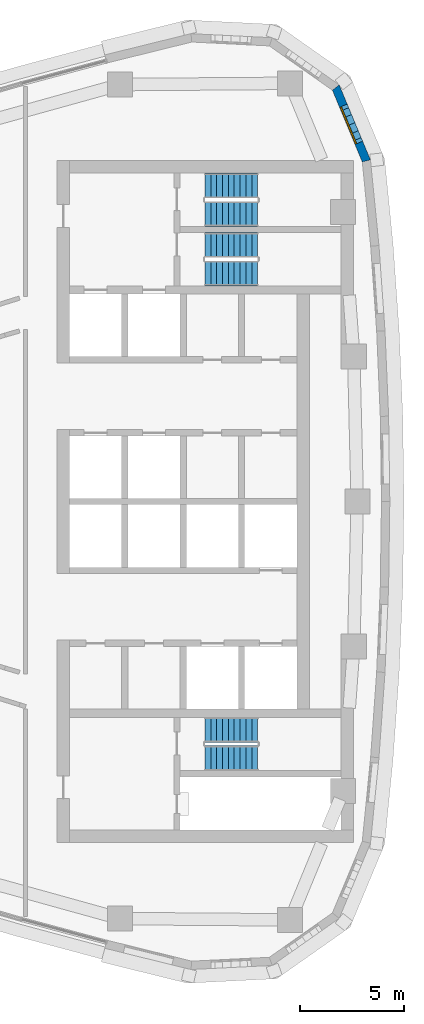
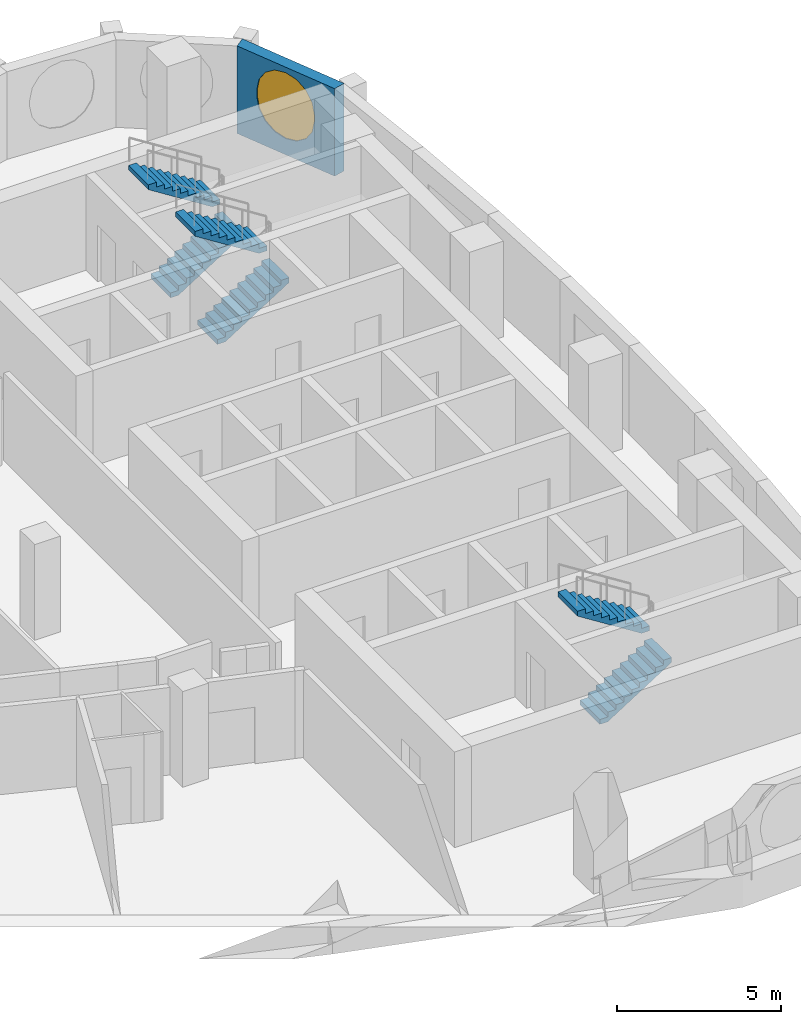
# One storey, part 12 of 16: 6 stair flights, 1 wall, 1 window, 1 opening, 3 elements without a shape of their own.
"""IFC4 building model written with IfcOpenShell, lengths in metres."""

from ifc_helpers import new_model, si_unit, direction, frame, origin, place, context, subcontext, project, spatial, polyline, outline, extrude, material, layer, layer_set, type_object, element, fill, aggregate, save


model = new_model("IFC4")

# Units and contexts
model_context = context("Model", 3, precision=1e-05, world=origin(), true_north=direction((0.0, 1.0)))
body_context = subcontext(model_context, "Body", "Model", "MODEL_VIEW")
ifc_project = project(units=[si_unit("LENGTHUNIT", "METRE"), si_unit("AREAUNIT", "SQUARE_METRE"), si_unit("VOLUMEUNIT", "CUBIC_METRE"), si_unit("PLANEANGLEUNIT", "RADIAN"), si_unit("MASSUNIT", "GRAM", prefix="KILO")], contexts=[model_context])

# Site, building, storey
site_placement = place(None, origin())
site = spatial("IfcSite", under=ifc_project, at=site_placement, CompositionType="ELEMENT")
building_placement = place(site_placement, origin())
building = spatial("IfcBuilding", under=site, at=building_placement, Name="Ostrand Prow Hotel Tower", CompositionType="ELEMENT")
storey_placement = place(building_placement, frame((0.0, 0.0, 227.89990234375)))
storey = spatial("IfcBuildingStorey", under=building, at=storey_placement, Name="L57", CompositionType="ELEMENT", Elevation=227.89990234375)

# Wall, opening, window
ifc_material_1 = material(Name="Precast concrete C40/50", Category="concrete")
ifc_layer = layer(ifc_material_1, 0.39990234375)
ifc_layer_set = layer_set([ifc_layer], Name="Precast concrete C40/50")
wall_type = type_object("IfcWallType", Name="Stone-faced precast wall 400 mm", PredefinedType="NOTDEFINED", material=ifc_layer_set)
wall_placement = place(storey_placement, frame((64.9375, 16.33740234375, 0.0), z_axis=(0.0, 0.0, 1.0), x_axis=(-0.3844335483, 0.923152667191, 0.0)))
wall = element("IfcWall", 1, at=wall_placement, inside=storey, type_object=wall_type, Name="Stone-faced wall back 13", PredefinedType="NOTDEFINED", context=body_context, shape_type="SweptSolid", body=[
    extrude(outline(polyline([(-0.02978515625, -0.199951171875), (3.871337890625, -0.199951171875), (3.755615234375, 0.199951171875), (0.02978515625, 0.199951171875), (-0.02978515625, -0.199951171875)])), origin(), (0.0, 0.0, 1.0), 3.25),
])
opening_placement = place(wall_placement, frame((0.806884765625, 0.0, 0.60009765625)))
opening = element("IfcOpeningElement", 2, at=opening_placement, cuts=wall, Name="Opening WP2", PredefinedType="OPENING", context=body_context, shape_type="SweptSolid", body=[
    extrude(outline(polyline([(0.0, 1.35009765625), (0.083740234375, 1.77099609375), (0.322265625, 2.127685546875), (0.678955078125, 2.3662109375), (1.10009765625, 2.449951171875), (1.52099609375, 2.3662109375), (1.877685546875, 2.127685546875), (2.1162109375, 1.77099609375), (2.199951171875, 1.35009765625), (2.199951171875, 1.10009765625), (2.1162109375, 0.678955078125), (1.877685546875, 0.322265625), (1.52099609375, 0.083740234375), (1.10009765625, 0.0), (0.678955078125, 0.083740234375), (0.322265625, 0.322265625), (0.083740234375, 0.678955078125), (0.0, 1.099853515625), (0.0, 1.35009765625)])), frame((0.0, 0.2099609375, 0.0), z_axis=(0.0, -1.0, 0.0), x_axis=(1.0, 0.0, 0.0)), (0.0, 0.0, 1.0), 0.419921875),
])
ifc_material_2 = material(Name="Insulated glass in bronze frame", Category="glass")
window_type = type_object("IfcWindowType", Name="Round-ended prow lounge window 2200x2450", PartitioningType="SINGLE_PANEL", PredefinedType="WINDOW", material=ifc_material_2)
window_placement = place(opening_placement, origin())
window = element("IfcWindow", 3, at=window_placement, inside=storey, type_object=window_type, Name="Window back 13.1", OverallHeight=2.449951171875, OverallWidth=2.199951171875, PartitioningType="SINGLE_PANEL", PredefinedType="WINDOW", context=body_context, shape_type="SweptSolid", body=[
    extrude(outline(polyline([(0.0, 1.35009765625), (0.083740234375, 1.77099609375), (0.322265625, 2.127685546875), (0.678955078125, 2.3662109375), (1.10009765625, 2.449951171875), (1.52099609375, 2.3662109375), (1.877685546875, 2.127685546875), (2.1162109375, 1.77099609375), (2.199951171875, 1.35009765625), (2.199951171875, 1.10009765625), (2.1162109375, 0.678955078125), (1.877685546875, 0.322265625), (1.52099609375, 0.083740234375), (1.10009765625, 0.0), (0.678955078125, 0.083740234375), (0.322265625, 0.322265625), (0.083740234375, 0.678955078125), (0.0, 1.099853515625), (0.0, 1.35009765625)])), frame((0.0, 0.169921875, 0.0), z_axis=(0.0, -1.0, 0.0), x_axis=(1.0, 0.0, 0.0)), (0.0, 0.0, 1.0), 0.06005859375),
])
fill(opening, window)

# Stair, stair flights
ifc_material_3 = material(Name="Concrete C40/50", Category="concrete")
stair_type = type_object("IfcStairType", Name="Exit stair 1200 upper zone", PredefinedType="HALF_TURN_STAIR", material=ifc_material_3)
stair_1_placement = place(storey_placement, origin())
stair_1 = element("IfcStair", 4, at=stair_1_placement, inside=storey, type_object=stair_type, Name="L57 ST1C", PredefinedType="HALF_TURN_STAIR")
ifc_material_4 = material(Name="Concrete C40/50", Category="concrete")
stair_flight_type = type_object("IfcStairFlightType", Name="Stair flight 1200 concrete", PredefinedType="STRAIGHT", material=ifc_material_4)
stair_flight_1_placement = place(storey_placement, frame((57.199951171875, 10.949951171875, 0.0), z_axis=(0.0, 0.0, 1.0), x_axis=(1.0, 0.0, 0.0)))
stair_flight_1 = element("IfcStairFlight", 5, at=stair_flight_1_placement, type_object=stair_flight_type, Name="ST1C flight 1", NumberOfRisers=10, NumberOfTreads=9, PredefinedType="STRAIGHT", RiserHeight=0.1775, TreadLength=0.28, context=body_context, shape_type="SweptSolid", body=[
    extrude(outline(polyline([(0.0, 0.0), (0.0, 0.177490234375), (0.280029296875, 0.177490234375), (0.280029296875, 0.35498046875), (0.56005859375, 0.35498046875), (0.56005859375, 0.532470703125), (0.840087890625, 0.532470703125), (0.840087890625, 0.7099609375), (1.1201171875, 0.7099609375), (1.1201171875, 0.887451171875), (1.39990234375, 0.887451171875), (1.39990234375, 1.06494140625), (1.679931640625, 1.06494140625), (1.679931640625, 1.242431640625), (1.9599609375, 1.242431640625), (1.9599609375, 1.419921875), (2.239990234375, 1.419921875), (2.239990234375, 1.597412109375), (2.52001953125, 1.597412109375), (2.52001953125, 1.77490234375), (2.52001953125, 1.419921875), (0.280029296875, 0.0), (0.0, 0.0)])), frame((0.0, 0.60009765625, 0.0), z_axis=(0.0, -1.0, 0.0), x_axis=(1.0, 0.0, 0.0)), (0.0, 0.0, 1.0), 1.199951171875),
])
stair_flight_2_placement = place(storey_placement, frame((59.719970703125, 12.300048828125, 1.775146484375), z_axis=(0.0, 0.0, 1.0), x_axis=(-1.0, 0.0, 0.0)))
stair_flight_2 = element("IfcStairFlight", 6, at=stair_flight_2_placement, type_object=stair_flight_type, Name="ST1C flight 2", NumberOfRisers=10, NumberOfTreads=9, PredefinedType="STRAIGHT", RiserHeight=0.1775, TreadLength=0.28, context=body_context, shape_type="SweptSolid", body=[
    extrude(outline(polyline([(0.0, 0.0), (0.0, 0.177490234375), (0.280029296875, 0.177490234375), (0.280029296875, 0.35498046875), (0.56005859375, 0.35498046875), (0.56005859375, 0.532470703125), (0.840087890625, 0.532470703125), (0.840087890625, 0.7099609375), (1.1201171875, 0.7099609375), (1.1201171875, 0.887451171875), (1.39990234375, 0.887451171875), (1.39990234375, 1.06494140625), (1.679931640625, 1.06494140625), (1.679931640625, 1.242431640625), (1.9599609375, 1.242431640625), (1.9599609375, 1.419921875), (2.239990234375, 1.419921875), (2.239990234375, 1.597412109375), (2.52001953125, 1.597412109375), (2.52001953125, 1.77490234375), (2.52001953125, 1.419921875), (0.280029296875, 0.0), (0.0, 0.0)])), frame((0.0, 0.60009765625, 0.0), z_axis=(0.0, -1.0, 0.0), x_axis=(1.0, 0.0, 0.0)), (0.0, 0.0, 1.0), 1.199951171875),
])
aggregate(stair_1, [stair_flight_1, stair_flight_2])

stair_2_placement = place(storey_placement, origin())
stair_2 = element("IfcStair", 7, at=stair_2_placement, inside=storey, type_object=stair_type, Name="L57 ST3C", PredefinedType="HALF_TURN_STAIR")
stair_flight_3_placement = place(storey_placement, frame((57.199951171875, 13.800048828125, 0.0), z_axis=(0.0, 0.0, 1.0), x_axis=(1.0, 0.0, 0.0)))
stair_flight_3 = element("IfcStairFlight", 8, at=stair_flight_3_placement, type_object=stair_flight_type, Name="ST3C flight 1", NumberOfRisers=10, NumberOfTreads=9, PredefinedType="STRAIGHT", RiserHeight=0.1775, TreadLength=0.28, context=body_context, shape_type="SweptSolid", body=[
    extrude(outline(polyline([(0.0, 0.0), (0.0, 0.177490234375), (0.280029296875, 0.177490234375), (0.280029296875, 0.35498046875), (0.56005859375, 0.35498046875), (0.56005859375, 0.532470703125), (0.840087890625, 0.532470703125), (0.840087890625, 0.7099609375), (1.1201171875, 0.7099609375), (1.1201171875, 0.887451171875), (1.39990234375, 0.887451171875), (1.39990234375, 1.06494140625), (1.679931640625, 1.06494140625), (1.679931640625, 1.242431640625), (1.9599609375, 1.242431640625), (1.9599609375, 1.419921875), (2.239990234375, 1.419921875), (2.239990234375, 1.597412109375), (2.52001953125, 1.597412109375), (2.52001953125, 1.77490234375), (2.52001953125, 1.419921875), (0.280029296875, 0.0), (0.0, 0.0)])), frame((0.0, 0.60009765625, 0.0), z_axis=(0.0, -1.0, 0.0), x_axis=(1.0, 0.0, 0.0)), (0.0, 0.0, 1.0), 1.199951171875),
])
stair_flight_4_placement = place(storey_placement, frame((59.719970703125, 15.14990234375, 1.775146484375), z_axis=(0.0, 0.0, 1.0), x_axis=(-1.0, 0.0, 0.0)))
stair_flight_4 = element("IfcStairFlight", 9, at=stair_flight_4_placement, type_object=stair_flight_type, Name="ST3C flight 2", NumberOfRisers=10, NumberOfTreads=9, PredefinedType="STRAIGHT", RiserHeight=0.1775, TreadLength=0.28, context=body_context, shape_type="SweptSolid", body=[
    extrude(outline(polyline([(0.0, 0.0), (0.0, 0.177490234375), (0.280029296875, 0.177490234375), (0.280029296875, 0.35498046875), (0.56005859375, 0.35498046875), (0.56005859375, 0.532470703125), (0.840087890625, 0.532470703125), (0.840087890625, 0.7099609375), (1.1201171875, 0.7099609375), (1.1201171875, 0.887451171875), (1.39990234375, 0.887451171875), (1.39990234375, 1.06494140625), (1.679931640625, 1.06494140625), (1.679931640625, 1.242431640625), (1.9599609375, 1.242431640625), (1.9599609375, 1.419921875), (2.239990234375, 1.419921875), (2.239990234375, 1.597412109375), (2.52001953125, 1.597412109375), (2.52001953125, 1.77490234375), (2.52001953125, 1.419921875), (0.280029296875, 0.0), (0.0, 0.0)])), frame((0.0, 0.60009765625, 0.0), z_axis=(0.0, -1.0, 0.0), x_axis=(1.0, 0.0, 0.0)), (0.0, 0.0, 1.0), 1.199951171875),
])
aggregate(stair_2, [stair_flight_3, stair_flight_4])

stair_3_placement = place(storey_placement, origin())
stair_3 = element("IfcStair", 10, at=stair_3_placement, inside=storey, type_object=stair_type, Name="L57 ST2C", PredefinedType="HALF_TURN_STAIR")
stair_flight_5_placement = place(storey_placement, frame((57.199951171875, -12.300048828125, 0.0), z_axis=(0.0, 0.0, 1.0), x_axis=(1.0, 0.0, 0.0)))
stair_flight_5 = element("IfcStairFlight", 11, at=stair_flight_5_placement, type_object=stair_flight_type, Name="ST2C flight 1", NumberOfRisers=10, NumberOfTreads=9, PredefinedType="STRAIGHT", RiserHeight=0.1775, TreadLength=0.28, context=body_context, shape_type="SweptSolid", body=[
    extrude(outline(polyline([(0.0, 0.0), (0.0, 0.177490234375), (0.280029296875, 0.177490234375), (0.280029296875, 0.35498046875), (0.56005859375, 0.35498046875), (0.56005859375, 0.532470703125), (0.840087890625, 0.532470703125), (0.840087890625, 0.7099609375), (1.1201171875, 0.7099609375), (1.1201171875, 0.887451171875), (1.39990234375, 0.887451171875), (1.39990234375, 1.06494140625), (1.679931640625, 1.06494140625), (1.679931640625, 1.242431640625), (1.9599609375, 1.242431640625), (1.9599609375, 1.419921875), (2.239990234375, 1.419921875), (2.239990234375, 1.597412109375), (2.52001953125, 1.597412109375), (2.52001953125, 1.77490234375), (2.52001953125, 1.419921875), (0.280029296875, 0.0), (0.0, 0.0)])), frame((0.0, 0.60009765625, 0.0), z_axis=(0.0, -1.0, 0.0), x_axis=(1.0, 0.0, 0.0)), (0.0, 0.0, 1.0), 1.199951171875),
])
stair_flight_6_placement = place(storey_placement, frame((59.719970703125, -10.949951171875, 1.775146484375), z_axis=(0.0, 0.0, 1.0), x_axis=(-1.0, 0.0, 0.0)))
stair_flight_6 = element("IfcStairFlight", 12, at=stair_flight_6_placement, type_object=stair_flight_type, Name="ST2C flight 2", NumberOfRisers=10, NumberOfTreads=9, PredefinedType="STRAIGHT", RiserHeight=0.1775, TreadLength=0.28, context=body_context, shape_type="SweptSolid", body=[
    extrude(outline(polyline([(0.0, 0.0), (0.0, 0.177490234375), (0.280029296875, 0.177490234375), (0.280029296875, 0.35498046875), (0.56005859375, 0.35498046875), (0.56005859375, 0.532470703125), (0.840087890625, 0.532470703125), (0.840087890625, 0.7099609375), (1.1201171875, 0.7099609375), (1.1201171875, 0.887451171875), (1.39990234375, 0.887451171875), (1.39990234375, 1.06494140625), (1.679931640625, 1.06494140625), (1.679931640625, 1.242431640625), (1.9599609375, 1.242431640625), (1.9599609375, 1.419921875), (2.239990234375, 1.419921875), (2.239990234375, 1.597412109375), (2.52001953125, 1.597412109375), (2.52001953125, 1.77490234375), (2.52001953125, 1.419921875), (0.280029296875, 0.0), (0.0, 0.0)])), frame((0.0, 0.60009765625, 0.0), z_axis=(0.0, -1.0, 0.0), x_axis=(1.0, 0.0, 0.0)), (0.0, 0.0, 1.0), 1.199951171875),
])
aggregate(stair_3, [stair_flight_5, stair_flight_6])

save(model, "model.ifc")
